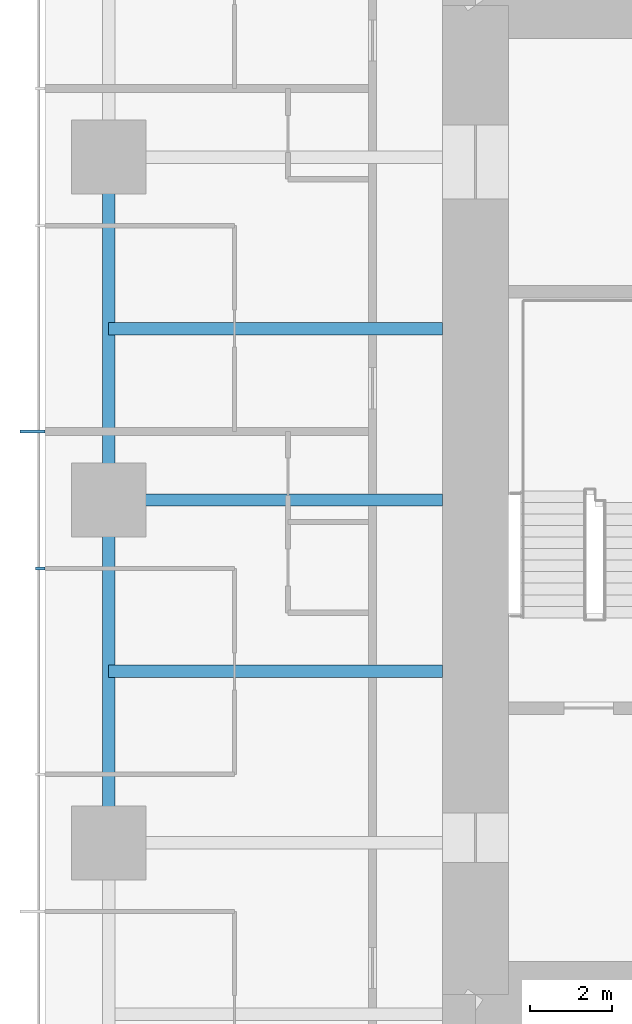
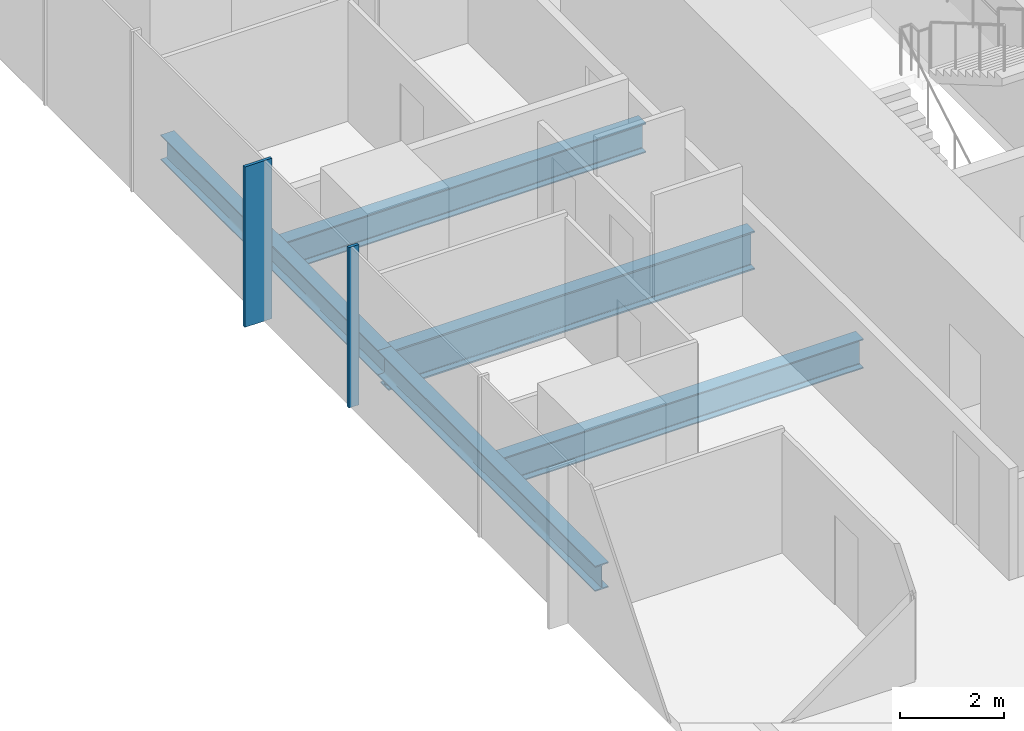
# One storey, part 3 of 12: 5 beams, 2 members, 1 element without a shape of its own.
"""IFC4 building model written with IfcOpenShell, lengths in metres."""

from ifc_helpers import new_model, si_unit, direction, frame, origin, origin_2d, place, context, subcontext, project, spatial, rectangle, i_section, extrude, material, material_profile, profile_set, type_object, element, aggregate, save


model = new_model("IFC4")

# Units and contexts
model_context = context("Model", 3, precision=1e-05, world=origin(), true_north=direction((0.0, 1.0)))
body_context = subcontext(model_context, "Body", "Model", "MODEL_VIEW")
ifc_project = project(units=[si_unit("LENGTHUNIT", "METRE"), si_unit("AREAUNIT", "SQUARE_METRE"), si_unit("VOLUMEUNIT", "CUBIC_METRE"), si_unit("PLANEANGLEUNIT", "RADIAN"), si_unit("MASSUNIT", "GRAM", prefix="KILO")], contexts=[model_context])

# Site, building, storey
site_placement = place(None, origin())
site = spatial("IfcSite", under=ifc_project, at=site_placement, CompositionType="ELEMENT")
building_placement = place(site_placement, origin())
building = spatial("IfcBuilding", under=site, at=building_placement, Name="Khuree Lantern Residences", CompositionType="ELEMENT")
storey_placement = place(building_placement, frame((0.0, 0.0, 240.75)))
storey = spatial("IfcBuildingStorey", under=building, at=storey_placement, Name="L60", CompositionType="ELEMENT", Elevation=240.75)

# Beams
ifc_material_1 = material(Name="Steel S355", Category="steel")
ifc_material_profile_1 = material_profile(ifc_material_1, i_section(OverallWidth=0.300048828125, OverallDepth=0.68994140625, WebThickness=0.014404296875, FlangeThickness=0.027099609375, FilletRadius=0.027099609375, at=origin_2d()), Name="HE 700 A")
ifc_profile_set_1 = profile_set([ifc_material_profile_1], Name="Steel S355")
beam_type_1 = type_object("IfcBeamType", Name="B-33 SECONDARY BEAM HE 700 A", PredefinedType="BEAM", material=ifc_profile_set_1)
for number, where, z_axis, x_axis, name in (
    (1, (-24.39990234375, -4.159912109375, -0.594970703125), (1.0, 0.0, 0.0), (0.0, 1.0, 0.0), "Secondary beam W3"),
    (2, (-24.39990234375, 4.159912109375, -0.594970703125), (1.0, 0.0, 0.0), (0.0, 1.0, 0.0), "Secondary beam W4"),
):
    element("IfcBeam", number, at=place(storey_placement, frame(where, z_axis=z_axis, x_axis=x_axis)), inside=storey, type_object=beam_type_1, Name=name, PredefinedType="BEAM", context=body_context, shape_type="SweptSolid", body=[
        extrude(i_section(OverallWidth=0.300048828125, OverallDepth=0.68994140625, WebThickness=0.014404296875, FlangeThickness=0.027099609375, FilletRadius=0.027099609375, at=origin_2d()), origin(), (0.0, 0.0, 1.0), 8.099853515625),
    ])
ifc_material_profile_2 = material_profile(ifc_material_1, i_section(OverallWidth=0.300048828125, OverallDepth=0.590087890625, WebThickness=0.012939453125, FlangeThickness=0.02490234375, FilletRadius=0.027099609375, at=origin_2d()), Name="HE 600 A")
ifc_profile_set_2 = profile_set([ifc_material_profile_2], Name="Steel S355")
beam_type_2 = type_object("IfcBeamType", Name="E-33 SPANDREL BEAM HE 600 A", PredefinedType="SPANDREL", material=ifc_profile_set_2)
for number, where, z_axis, x_axis, name in (
    (3, (-24.39990234375, -8.320068359375, -0.544921875), (0.0, 1.0, 0.0), (-1.0, 0.0, 0.0), "Spandrel beam W3"),
    (4, (-24.39990234375, 0.0, -0.544921875), (0.0, 1.0, 0.0), (-1.0, 0.0, 0.0), "Spandrel beam W4"),
):
    element("IfcBeam", number, at=place(storey_placement, frame(where, z_axis=z_axis, x_axis=x_axis)), inside=storey, type_object=beam_type_2, Name=name, PredefinedType="SPANDREL", context=body_context, shape_type="SweptSolid", body=[
        extrude(i_section(OverallWidth=0.300048828125, OverallDepth=0.590087890625, WebThickness=0.012939453125, FlangeThickness=0.02490234375, FilletRadius=0.027099609375, at=origin_2d()), origin(), (0.0, 0.0, 1.0), 8.320068359375),
    ])

# Curtain wall, member
ifc_material_2 = material(Name="Bronze anodised aluminium", Category="aluminium")
curtain_wall_type = type_object("IfcCurtainWallType", Name="CW-T1 TOWER FACE CURTAIN WALL", PredefinedType="USERDEFINED", material=ifc_material_2)
curtain_wall_placement = place(storey_placement, origin())
curtain_wall = element("IfcCurtainWall", 5, at=curtain_wall_placement, inside=storey, type_object=curtain_wall_type, Name="L60 WEST FACE CURTAIN WALL", ObjectType="Stick-built curtain wall", PredefinedType="USERDEFINED")
ifc_material_profile_3 = material_profile(ifc_material_2, rectangle(XDim=0.06494140625, YDim=0.60009765625, at=origin_2d()), Name="F1 65X600")
ifc_profile_set_3 = profile_set([ifc_material_profile_3], Name="Bronze anodised aluminium")
member_type_1 = type_object("IfcMemberType", Name="F1 BRONZE FIN MULLION TOWER 65X600", PredefinedType="MULLION", material=ifc_profile_set_3)
member_1_placement = place(storey_placement, frame((-26.25, 1.6640625, 0.0), z_axis=(0.0, 0.0, 1.0), x_axis=(0.0, -1.0, 0.0)))
member_1 = element("IfcMember", 6, at=member_1_placement, type_object=member_type_1, Name="L60 WEST FACE FIN MULLION 37", PredefinedType="MULLION", context=body_context, shape_type="SweptSolid", body=[
    extrude(rectangle(XDim=0.06494140625, YDim=0.60009765625, at=origin_2d()), origin(), (0.0, 0.0, 1.0), 3.75),
])

# Beam
ifc_material_profile_4 = material_profile(ifc_material_1, i_section(OverallWidth=0.300048828125, OverallDepth=0.89990234375, WebThickness=0.0185546875, FlangeThickness=0.034912109375, FilletRadius=0.030029296875, at=origin_2d()), Name="HE 900 B")
ifc_profile_set_4 = profile_set([ifc_material_profile_4], Name="Steel S355")
beam_type_3 = type_object("IfcBeamType", Name="G-33 GIRDER HE 900 B", PredefinedType="BEAM", material=ifc_profile_set_4)
beam_placement = place(storey_placement, frame((-24.39990234375, 0.0, -0.699951171875), z_axis=(1.0, 0.0, 0.0), x_axis=(0.0, 1.0, 0.0)))
element("IfcBeam", 7, at=beam_placement, inside=storey, type_object=beam_type_3, Name="Girder W3", PredefinedType="BEAM", context=body_context, shape_type="SweptSolid", body=[
    extrude(i_section(OverallWidth=0.300048828125, OverallDepth=0.89990234375, WebThickness=0.0185546875, FlangeThickness=0.034912109375, FilletRadius=0.030029296875, at=origin_2d()), origin(), (0.0, 0.0, 1.0), 8.099853515625),
])

# Member
ifc_material_profile_5 = material_profile(ifc_material_2, rectangle(XDim=0.06494140625, YDim=0.219970703125, at=origin_2d()), Name="M1 65X220")
ifc_profile_set_5 = profile_set([ifc_material_profile_5], Name="Bronze anodised aluminium")
member_type_2 = type_object("IfcMemberType", Name="M1 BRONZE MULLION TOWER 65X220", PredefinedType="MULLION", material=ifc_profile_set_5)
member_2_placement = place(storey_placement, frame((-26.06005859375, -1.6640625, 0.0), z_axis=(0.0, 0.0, 1.0), x_axis=(0.0, -1.0, 0.0)))
member_2 = element("IfcMember", 8, at=member_2_placement, type_object=member_type_2, Name="L60 WEST FACE MULLION 38", PredefinedType="MULLION", context=body_context, shape_type="SweptSolid", body=[
    extrude(rectangle(XDim=0.06494140625, YDim=0.219970703125, at=origin_2d()), origin(), (0.0, 0.0, 1.0), 3.75),
])

aggregate(curtain_wall, [member_1, member_2])

save(model, "model.ifc")
